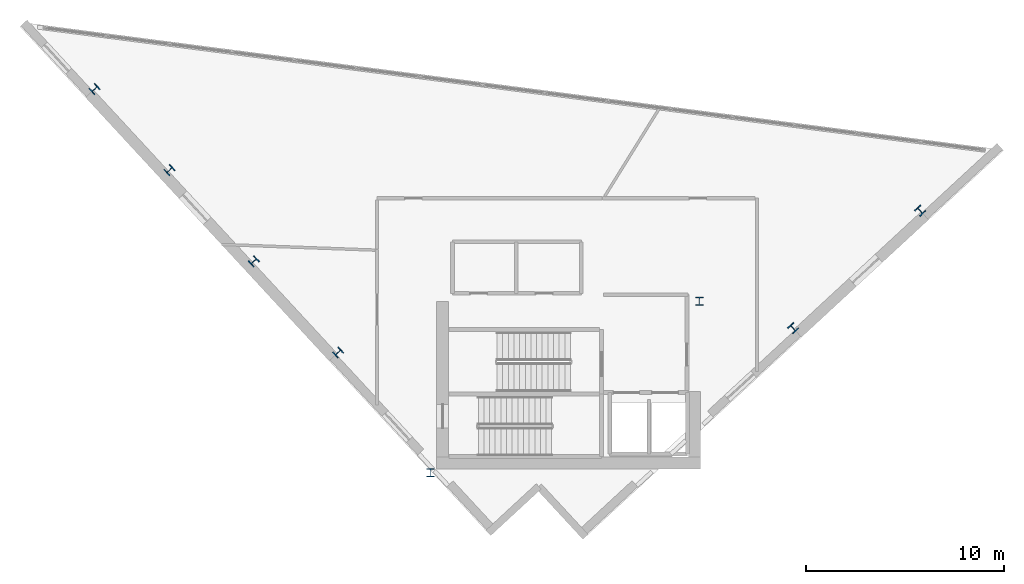
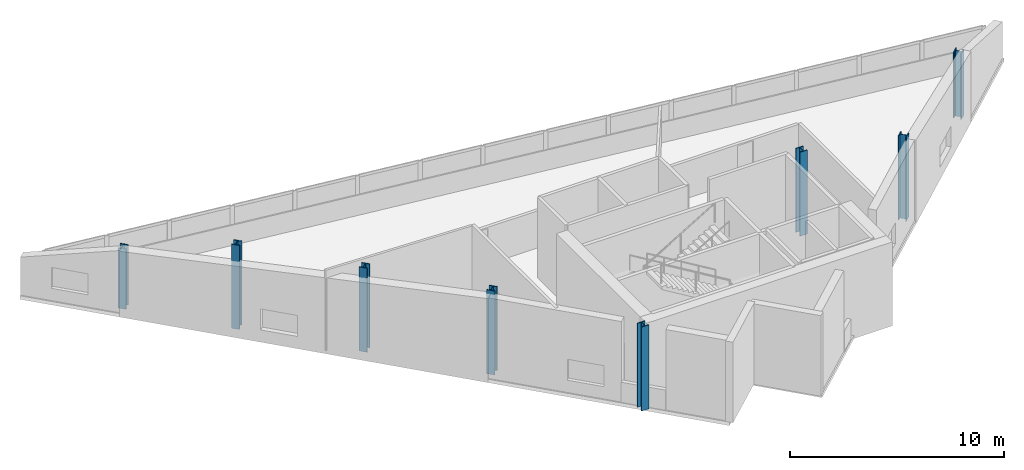
# One storey, part 1 of 7: 8 columns.
"""IFC4 building model written with IfcOpenShell, lengths in metres."""

from ifc_helpers import new_model, si_unit, direction, frame, origin, origin_2d, place, context, subcontext, project, spatial, i_section, extrude, material, material_profile, profile_set, type_object, element, save


model = new_model("IFC4")

# Units and contexts
model_context = context("Model", 3, precision=1e-05, world=origin(), true_north=direction((0.0, 1.0)))
body_context = subcontext(model_context, "Body", "Model", "MODEL_VIEW")
ifc_project = project(units=[si_unit("LENGTHUNIT", "METRE"), si_unit("AREAUNIT", "SQUARE_METRE"), si_unit("VOLUMEUNIT", "CUBIC_METRE"), si_unit("PLANEANGLEUNIT", "RADIAN"), si_unit("MASSUNIT", "GRAM", prefix="KILO")], contexts=[model_context])

# Site, building, storey
site_placement = place(None, origin())
site = spatial("IfcSite", under=ifc_project, at=site_placement, CompositionType="ELEMENT")
building_placement = place(site_placement, origin())
building = spatial("IfcBuilding", under=site, at=building_placement, Name="Narakoshi Arena Tower", CompositionType="ELEMENT")
storey_placement = place(building_placement, frame((0.0, 0.0, 312.580078125)))
storey = spatial("IfcBuildingStorey", under=building, at=storey_placement, Name="L84", CompositionType="ELEMENT", Elevation=312.580078125)

# Columns
ifc_material = material(Name="Structural steel S355J2", Category="steel")
ifc_material_profile = material_profile(ifc_material, i_section(OverallWidth=0.406005859375, OverallDepth=0.416015625, WebThickness=0.02978515625, FlangeThickness=0.048095703125, FilletRadius=0.014892578125, at=origin_2d()), Name="HD400x382")
ifc_profile_set = profile_set([ifc_material_profile], Name="Structural steel S355J2")
column_type = type_object("IfcColumnType", Name="COL-STL382", PredefinedType="COLUMN", material=ifc_profile_set)
for number, where, z_axis, x_axis, name in (
    (1, (72.0, 34.699951171875, 0.0), (0.0, 0.0, 1.0), (1.0, 0.0, 0.0), "L84 Core Structural Column CC1"),
    (2, (85.550048828125, 43.35009765625, 0.0), (0.0, 0.0, 1.0), (1.0, 0.0, 0.0), "L84 Core Structural Column CC3"),
    (3, (90.2734375, 41.992919921875, 0.0), (0.0, 0.0, 1.0), (0.734322509436, 0.678800745533, 0.0), "L84 Tower Perimeter Column TC01"),
):
    element("IfcColumn", number, at=place(storey_placement, frame(where, z_axis=z_axis, x_axis=x_axis)), inside=storey, type_object=column_type, Name=name, PredefinedType="COLUMN", context=body_context, shape_type="SweptSolid", body=[
        extrude(i_section(OverallWidth=0.406005859375, OverallDepth=0.416015625, WebThickness=0.02978515625, FlangeThickness=0.048095703125, FilletRadius=0.014892578125, at=origin_2d()), origin(), (0.0, 0.0, 1.0), 4.7998046875),
    ])
column_1_placement = place(storey_placement, frame((96.6787109375, 47.913818359375, 0.0), z_axis=(0.0, 0.0, 1.0), x_axis=(0.734322509436, 0.678800745533, 0.0)))
element("IfcColumn", 4, at=column_1_placement, inside=storey, type_object=column_type, Name="L84 Tower Perimeter Column TC02", PredefinedType="COLUMN", context=body_context, shape_type="SweptSolid", body=[
    extrude(i_section(OverallWidth=0.406005859375, OverallDepth=0.416015625, WebThickness=0.02978515625, FlangeThickness=0.048095703125, FilletRadius=0.014892578125, at=origin_2d()), origin(), (0.0, 0.0, 1.0), 3.756103515625),
])
column_2_placement = place(storey_placement, frame((55.05810546875, 54.04638671875, 0.0), z_axis=(0.0, 0.0, 1.0), x_axis=(-0.678800745533, 0.734322509436, 0.0)))
element("IfcColumn", 5, at=column_2_placement, inside=storey, type_object=column_type, Name="L84 Tower Perimeter Column TC13", PredefinedType="COLUMN", context=body_context, shape_type="SweptSolid", body=[
    extrude(i_section(OverallWidth=0.406005859375, OverallDepth=0.416015625, WebThickness=0.02978515625, FlangeThickness=0.048095703125, FilletRadius=0.014892578125, at=origin_2d()), origin(), (0.0, 0.0, 1.0), 3.43701171875),
])
for number, where, z_axis, x_axis, name in (
    (6, (58.8349609375, 49.960693359375, 0.0), (0.0, 0.0, 1.0), (-0.678800745533, 0.734322509436, 0.0), "L84 Tower Perimeter Column TC14"),
    (7, (63.083984375, 45.3642578125, 0.0), (0.0, 0.0, 1.0), (-0.678800745533, 0.734322509436, 0.0), "L84 Tower Perimeter Column TC15"),
    (8, (67.332763671875, 40.767578125, 0.0), (0.0, 0.0, 1.0), (-0.678800745533, 0.734322509436, 0.0), "L84 Tower Perimeter Column TC16"),
):
    element("IfcColumn", number, at=place(storey_placement, frame(where, z_axis=z_axis, x_axis=x_axis)), inside=storey, type_object=column_type, Name=name, PredefinedType="COLUMN", context=body_context, shape_type="SweptSolid", body=[
        extrude(i_section(OverallWidth=0.406005859375, OverallDepth=0.416015625, WebThickness=0.02978515625, FlangeThickness=0.048095703125, FilletRadius=0.014892578125, at=origin_2d()), origin(), (0.0, 0.0, 1.0), 4.7998046875),
    ])

save(model, "model.ifc")
